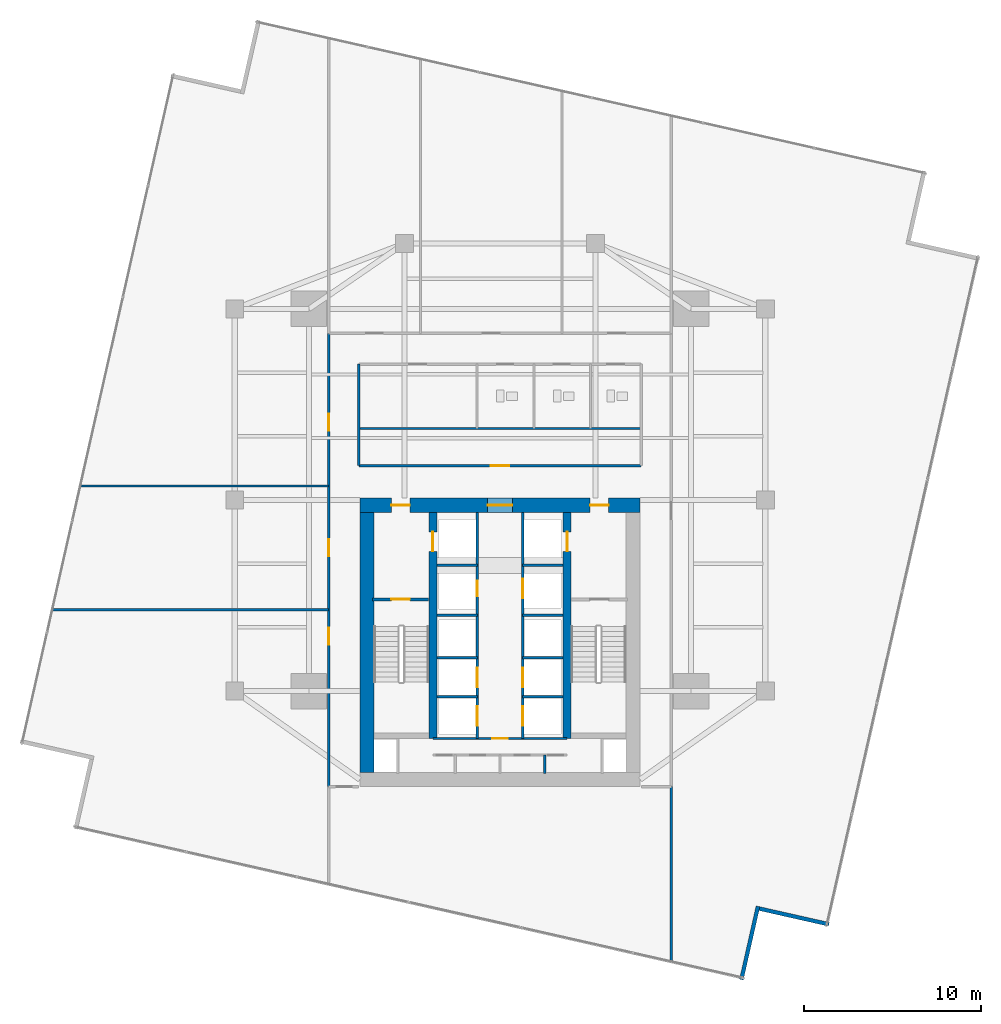
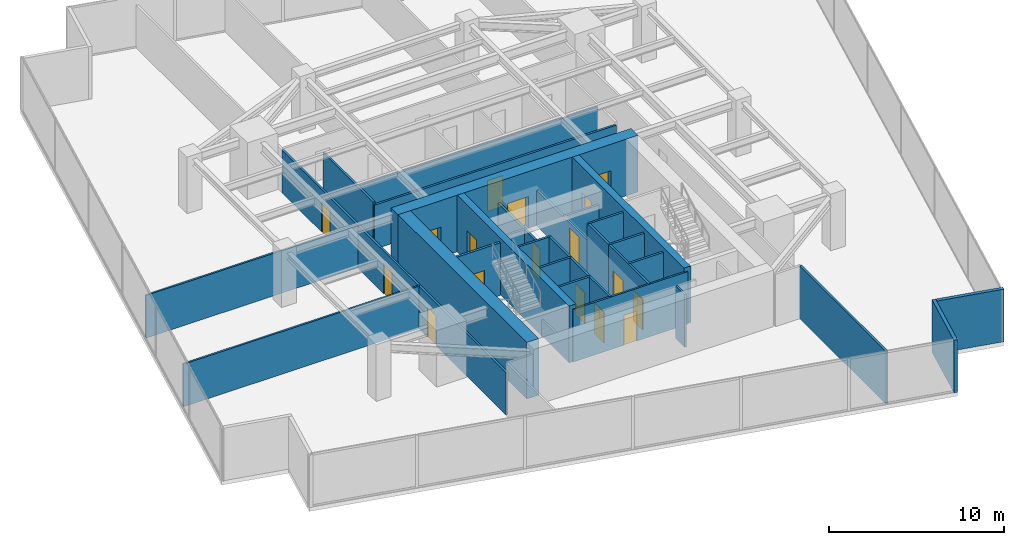
# One storey, part 23 of 26: 30 walls, 17 doors, 17 openings.
"""IFC4 building model written with IfcOpenShell, lengths in metres."""

import ifcopenshell
import ifcopenshell.guid

model = None  # the IFC model being written
_history = None  # IfcOwnerHistory: only IFC2X3 demands one
_inside = {}  # id of a spatial element -> (the spatial element, [elements in it])
_under = {}  # id of a project, library or spatial element -> (it, [spatial elements below it])
_declared = {}  # id of a project -> (the project, [libraries it declares])
_typed = {}  # id of a type object -> (the type object, [elements of that type])
_made_of = {}  # id of a material, layer set ... -> (it, [elements and type objects made of it])


def new_model(schema):
    """Start an empty IFC model of exactly this schema.

    Asked for "IFC4X3", IfcOpenShell would pick the latest addendum, in which some entities
    have other attributes; the version numbers below select the first issue.
    IFC2X3 requires an IfcOwnerHistory on every rooted entity: one is made here for all.
    """
    global model, _history
    if schema == "IFC4X3":
        model = ifcopenshell.file(schema_version=(4, 3, 0, 0))
    else:
        model = ifcopenshell.file(schema=schema)
    _inside.clear()
    _under.clear()
    _declared.clear()
    _typed.clear()
    _made_of.clear()
    _history = None
    if model.schema == "IFC2X3":
        org = make("IfcOrganization", Name="unknown")
        user = make(
            "IfcPersonAndOrganization",
            ThePerson=make("IfcPerson", FamilyName="unknown"),
            TheOrganization=org,
        )
        app = make(
            "IfcApplication",
            ApplicationDeveloper=org,
            Version="unknown",
            ApplicationFullName="unknown",
            ApplicationIdentifier="unknown",
        )
        _history = make(
            "IfcOwnerHistory",
            OwningUser=user,
            OwningApplication=app,
            ChangeAction="ADDED",
            CreationDate=0,
        )
    return model


def make(cls, **values):
    """One entity of the class cls with the attributes given. An attribute that is None is left unset."""
    return model.create_entity(
        cls, **{name: value for name, value in values.items() if value is not None}
    )


def rooted(cls, **values):
    """An entity with a GlobalId (a new one), such as an element, a storey or a relation."""
    return make(cls, GlobalId=ifcopenshell.guid.new(), OwnerHistory=_history, **values)


def si_unit(unit_type, name, prefix=None):
    """IfcSIUnit, for example si_unit("LENGTHUNIT", "METRE", prefix="MILLI")."""
    return make("IfcSIUnit", UnitType=unit_type, Prefix=prefix, Name=name)


def assignment(units):
    """IfcUnitAssignment: the units of a project."""
    return None if units is None else make("IfcUnitAssignment", Units=units)


def point(xyz):
    """IfcCartesianPoint."""
    return None if xyz is None else make("IfcCartesianPoint", Coordinates=xyz)


def direction(xyz):
    """IfcDirection."""
    return None if xyz is None else make("IfcDirection", DirectionRatios=xyz)


def frame(location, z_axis=None, x_axis=None):
    """IfcAxis2Placement3D, a coordinate frame: its origin and axes. An axis left out is left unset."""
    return make(
        "IfcAxis2Placement3D",
        Location=point(location),
        Axis=direction(z_axis),
        RefDirection=direction(x_axis),
    )


def frame_2d(location, x_axis=None):
    """IfcAxis2Placement2D, a coordinate frame in the plane: its origin and x axis."""
    return make(
        "IfcAxis2Placement2D", Location=point(location), RefDirection=direction(x_axis)
    )


def origin():
    """The frame at (0, 0, 0) with its axes left unset."""
    return frame((0.0, 0.0, 0.0))


def place(relative_to, where):
    """IfcLocalPlacement: puts the frame where relative to a parent placement (None: the world)."""
    return make(
        "IfcLocalPlacement", PlacementRelTo=relative_to, RelativePlacement=where
    )


def context(
    kind, dimensions, precision=None, world=None, true_north=None, identifier=None
):
    """IfcGeometricRepresentationContext, for example the 3D "Model" context."""
    return make(
        "IfcGeometricRepresentationContext",
        ContextIdentifier=identifier,
        ContextType=kind,
        CoordinateSpaceDimension=dimensions,
        Precision=precision,
        WorldCoordinateSystem=world,
        TrueNorth=true_north,
    )


def subcontext(parent, identifier, kind, view, scale=None):
    """IfcGeometricRepresentationSubContext, for example "Body" below "Model"."""
    return make(
        "IfcGeometricRepresentationSubContext",
        ContextIdentifier=identifier,
        ContextType=kind,
        ParentContext=parent,
        TargetScale=scale,
        TargetView=view,
    )


def project(units=None, contexts=None):
    """IfcProject with its units and contexts."""
    return rooted(
        "IfcProject",
        Name="project",
        RepresentationContexts=contexts,
        UnitsInContext=assignment(units),
    )


def spatial(cls, under=None, at=None, **own):
    """A site, building, storey or space (cls), placed at a placement, below another one or the project."""
    s = rooted(cls, ObjectPlacement=at, **own)
    if under is not None:
        _under.setdefault(under.id(), (under, []))[1].append(s)
    return s


def profile(cls, at=None, kind="AREA", **sizes):
    """A parametric profile (cls). Its sizes go by their IFC names, for example OverallWidth=200.0."""
    return make(cls, ProfileType=kind, Position=at, **sizes)


def rectangle(**sizes):
    """IfcRectangleProfileDef."""
    return profile("IfcRectangleProfileDef", **sizes)


def extrude(swept, where, along, depth):
    """IfcExtrudedAreaSolid: the profile swept, set in the frame where, extruded along a direction by depth."""
    return make(
        "IfcExtrudedAreaSolid",
        SweptArea=swept,
        Position=where,
        ExtrudedDirection=direction(along),
        Depth=depth,
    )


def shape(context_of_items, identifier, shape_type, items):
    """IfcShapeRepresentation: the items that make up one representation, for example the "Body"."""
    return make(
        "IfcShapeRepresentation",
        ContextOfItems=context_of_items,
        RepresentationIdentifier=identifier,
        RepresentationType=shape_type,
        Items=items,
    )


def material(Name=None, Category=None):
    """IfcMaterial."""
    return make("IfcMaterial", Name=Name, Category=Category)


def layer(
    of_material, thickness, ventilated=None, Name=None, Category=None, Priority=None
):
    """IfcMaterialLayer: one layer of a wall or slab, of a material (None: an air gap)."""
    return make(
        "IfcMaterialLayer",
        Material=of_material,
        LayerThickness=thickness,
        IsVentilated=ventilated,
        Name=Name,
        Category=Category,
        Priority=Priority,
    )


def layer_set(layers, Name=None):
    """IfcMaterialLayerSet."""
    return make("IfcMaterialLayerSet", MaterialLayers=layers, LayerSetName=Name)


def made_of(thing, what):
    """Note that an element or type object is made of a material, layer set ...; save() writes the relation."""
    if what is not None:
        _made_of.setdefault(what.id(), (what, []))[1].append(thing)
    return thing


def type_object(cls, material=None, **own):
    """A type object (cls), such as IfcWallType, which elements share."""
    return made_of(rooted(cls, **own), material)


def element(
    cls,
    number,
    at=None,
    inside=None,
    cuts=None,
    type_object=None,
    material=None,
    context=None,
    identifier="Body",
    shape_type=None,
    held_by="IfcProductDefinitionShape",
    body=None,
    shapes=None,
    **own,
):
    """One element of the class cls, such as IfcWall. Its Tag is "e" and its number.

    at: its placement. inside: the storey or other place that contains it. cuts: it is an
    opening in that element (IfcRelVoidsElement). A single representation is given by context,
    identifier, shape_type and body (its items); several are given by shapes. held_by: the class
    of the entity that holds the representations. save() writes the other relations.
    """
    e = rooted(cls, Tag="e%d" % number, ObjectPlacement=at, **own)
    if body is not None:
        shapes = [shape(context, identifier, shape_type, body)]
    if shapes is not None:
        e.Representation = make(held_by, Representations=shapes)
    if inside is not None:
        _inside.setdefault(inside.id(), (inside, []))[1].append(e)
    if cuts is not None:
        rooted(
            "IfcRelVoidsElement", RelatingBuildingElement=cuts, RelatedOpeningElement=e
        )
    if type_object is not None:
        _typed.setdefault(type_object.id(), (type_object, []))[1].append(e)
    return made_of(e, material)


def fill(opening, filler):
    """IfcRelFillsElement: the door or window that sits in an opening."""
    return rooted(
        "IfcRelFillsElement",
        RelatingOpeningElement=opening,
        RelatedBuildingElement=filler,
    )


def aggregate(whole, parts):
    """IfcRelAggregates: a whole, such as a stair, and the parts it consists of."""
    return rooted("IfcRelAggregates", RelatingObject=whole, RelatedObjects=parts)


def save(model, path):
    """Write the relations noted so far, then the file.

    IfcRelAggregates (storeys below a building ...), IfcRelContainedInSpatialStructure (elements
    in a storey), IfcRelDefinesByType, IfcRelAssociatesMaterial and IfcRelDeclares: one each for
    every whole, place, type object, material and project.
    """
    for whole, parts in _under.values():
        aggregate(whole, parts)
    for where, things in _inside.values():
        rooted(
            "IfcRelContainedInSpatialStructure",
            RelatedElements=things,
            RelatingStructure=where,
        )
    for kind, things in _typed.values():
        rooted("IfcRelDefinesByType", RelatedObjects=things, RelatingType=kind)
    for what, things in _made_of.values():
        rooted("IfcRelAssociatesMaterial", RelatedObjects=things, RelatingMaterial=what)
    for by, libraries in _declared.values():
        rooted("IfcRelDeclares", RelatingContext=by, RelatedDefinitions=libraries)
    model.write(path)


model = new_model("IFC4")

# Units and contexts
model_context = context("Model", 3, precision=1e-05, world=origin(), true_north=direction((0.0, 1.0)))
body_context = subcontext(model_context, "Body", "Model", "MODEL_VIEW")
ifc_project = project(units=[si_unit("LENGTHUNIT", "METRE"), si_unit("AREAUNIT", "SQUARE_METRE"), si_unit("VOLUMEUNIT", "CUBIC_METRE"), si_unit("PLANEANGLEUNIT", "RADIAN"), si_unit("MASSUNIT", "GRAM", prefix="KILO")], contexts=[model_context])

# Site, building, storey
site_placement = place(None, origin())
site = spatial("IfcSite", under=ifc_project, at=site_placement, CompositionType="ELEMENT")
building_placement = place(site_placement, origin())
building = spatial("IfcBuilding", under=site, at=building_placement, Name="Krantzveldt Concourse Tower", CompositionType="ELEMENT")
storey_placement = place(building_placement, frame((0.0, 0.0, 90.050048828125)))
storey = spatial("IfcBuildingStorey", under=building, at=storey_placement, Name="L21", CompositionType="ELEMENT", Elevation=90.050048828125)

# Walls
ifc_material_1 = material(Name="Anodised aluminium 6063-T6", Category="aluminium")
ifc_layer_1 = layer(ifc_material_1, 0.219970703125, Name="Anodised aluminium 6063-T6", Category="aluminium")
ifc_layer_set_1 = layer_set([ifc_layer_1], Name="Anodised aluminium 6063-T6 (WL-EXT-NOTCH220)")
wall_type_1 = type_object("IfcWallType", Name="WL-EXT-NOTCH220", PredefinedType="ELEMENTEDWALL", material=ifc_layer_set_1)
wall_1_placement = place(storey_placement, frame((49.64453125, -0.404541015625, 0.0), z_axis=(0.0, 0.0, 1.0), x_axis=(0.220686293035, 0.975344841616, 0.0)))
element("IfcWall", 1, at=wall_1_placement, inside=storey, type_object=wall_type_1, Name="EW-L21-NCH05", PredefinedType="ELEMENTEDWALL", context=body_context, shape_type="SweptSolid", body=[
    extrude(rectangle(XDim=4.244873046875, YDim=0.219970703125, at=frame_2d((2.12255859375, 0.0))), origin(), (0.0, 0.0, 1.0), 3.669921875),
])
wall_2_placement = place(storey_placement, frame((50.664306640625, 3.60400390625, 0.0), z_axis=(0.0, 0.0, 1.0), x_axis=(0.975349272951, -0.2206667074, 0.0)))
element("IfcWall", 2, at=wall_2_placement, inside=storey, type_object=wall_type_1, Name="EW-L21-NCH06", PredefinedType="ELEMENTEDWALL", context=body_context, shape_type="SweptSolid", body=[
    extrude(rectangle(XDim=4.02490234375, YDim=0.219970703125, at=frame_2d((2.012451171875, 0.0))), origin(), (0.0, 0.0, 1.0), 3.669921875),
])

# Wall, opening, door
ifc_material_2 = material(Name="Fire-rated gypsum plasterboard on steel stud", Category="steel")
ifc_layer_2 = layer(ifc_material_2, 0.1201171875, Name="Fire-rated gypsum plasterboard on steel stud", Category="steel")
ifc_layer_set_2 = layer_set([ifc_layer_2], Name="Fire-rated gypsum plasterboard on steel stud (WL-PART-120)")
wall_type_2 = type_object("IfcWallType", Name="WL-PART-120", PredefinedType="PARTITIONING", material=ifc_layer_set_2)
wall_3_placement = place(storey_placement, frame((32.2099609375, 13.219970703125, 0.0), z_axis=(0.0, 0.0, 1.0), x_axis=(1.0, 0.0, 0.0)))
wall_3 = element("IfcWall", 3, at=wall_3_placement, inside=storey, type_object=wall_type_2, Name="WP-L21-CS2H", PredefinedType="PARTITIONING", context=body_context, shape_type="SweptSolid", body=[
    extrude(rectangle(XDim=7.580078125, YDim=0.1201171875, at=frame_2d((3.7900390625, 0.0))), origin(), (0.0, 0.0, 1.0), 3.669921875),
])
opening_1_placement = place(wall_3_placement, frame((3.364990234375, 0.0, 0.0)))
opening_1 = element("IfcOpeningElement", 4, at=opening_1_placement, cuts=wall_3, Name="Opening D-IN085", PredefinedType="OPENING", context=body_context, shape_type="SweptSolid", body=[
    extrude(rectangle(XDim=0.85009765625, YDim=2.10009765625, at=frame_2d((0.425048828125, 1.050048828125))), frame((0.0, 0.070068359375, 0.0), z_axis=(0.0, -1.0, 0.0), x_axis=(1.0, 0.0, 0.0)), (0.0, 0.0, 1.0), 0.14013671875),
])
ifc_material_3 = material(Name="Hardwood timber", Category="wood")
door_type_1 = type_object("IfcDoorType", Name="DR-INT-850", OperationType="SINGLE_SWING_LEFT", PredefinedType="DOOR", material=ifc_material_3)
door_1_placement = place(opening_1_placement, origin())
door_1 = element("IfcDoor", 5, at=door_1_placement, inside=storey, type_object=door_type_1, Name="DR-L21-LLBS", OperationType="SINGLE_SWING_RIGHT", OverallHeight=2.10009765625, OverallWidth=0.85009765625, PredefinedType="DOOR", context=body_context, shape_type="SweptSolid", body=[
    extrude(rectangle(XDim=0.85009765625, YDim=2.10009765625, at=frame_2d((0.425048828125, 1.050048828125))), frame((0.0, 0.02490234375, 0.0), z_axis=(0.0, -1.0, 0.0), x_axis=(1.0, 0.0, 0.0)), (0.0, 0.0, 1.0), 0.050048828125),
])
fill(opening_1, door_1)

# Walls
wall_4_placement = place(storey_placement, frame((38.530029296875, 11.25, 0.0), z_axis=(0.0, 0.0, 1.0), x_axis=(0.0, 1.0, 0.0)))
element("IfcWall", 6, at=wall_4_placement, inside=storey, type_object=wall_type_2, Name="WP-L21-CSD-V3", PredefinedType="PARTITIONING", context=body_context, shape_type="SweptSolid", body=[
    extrude(rectangle(XDim=1.030029296875, YDim=0.1201171875, at=frame_2d((0.51513671875, 0.0))), origin(), (0.0, 0.0, 1.0), 3.669921875),
])
wall_5_placement = place(storey_placement, frame((28.02001953125, 30.739990234375, 0.0), z_axis=(0.0, 0.0, 1.0), x_axis=(1.0, 0.0, 0.0)))
element("IfcWall", 7, at=wall_5_placement, inside=storey, type_object=wall_type_2, Name="WP-L21-ISLM", PredefinedType="PARTITIONING", context=body_context, shape_type="SweptSolid", body=[
    extrude(rectangle(XDim=15.9599609375, YDim=0.1201171875, at=frame_2d((7.97998046875, 0.0))), origin(), (0.0, 0.0, 1.0), 3.079833984375),
])
wall_6_placement = place(storey_placement, frame((10.69775390625, 20.5, 0.0), z_axis=(0.0, 0.0, 1.0), x_axis=(1.0, 0.0, 0.0)))
element("IfcWall", 8, at=wall_6_placement, inside=storey, type_object=wall_type_2, Name="WP-L21-WD1", PredefinedType="PARTITIONING", context=body_context, shape_type="SweptSolid", body=[
    extrude(rectangle(XDim=15.622314453125, YDim=0.1201171875, at=frame_2d((7.81103515625, 0.0))), origin(), (0.0, 0.0, 1.0), 2.969970703125),
])
wall_7_placement = place(storey_placement, frame((12.28173828125, 27.5, 0.0), z_axis=(0.0, 0.0, 1.0), x_axis=(1.0, 0.0, 0.0)))
element("IfcWall", 9, at=wall_7_placement, inside=storey, type_object=wall_type_2, Name="WP-L21-WD2", PredefinedType="PARTITIONING", context=body_context, shape_type="SweptSolid", body=[
    extrude(rectangle(XDim=14.038330078125, YDim=0.1201171875, at=frame_2d((7.01904296875, 0.0))), origin(), (0.0, 0.0, 1.0), 2.969970703125),
])

# Wall, opening, door
ifc_layer_3 = layer(ifc_material_2, 0.139892578125, Name="Fire-rated gypsum plasterboard on steel stud", Category="steel")
ifc_layer_set_3 = layer_set([ifc_layer_3], Name="Fire-rated gypsum plasterboard on steel stud (WL-PART-140)")
wall_type_3 = type_object("IfcWallType", Name="WL-PART-140", PredefinedType="PARTITIONING", material=ifc_layer_set_3)
wall_8_placement = place(storey_placement, frame((28.02001953125, 28.639892578125, 0.0), z_axis=(0.0, 0.0, 1.0), x_axis=(1.0, 0.0, 0.0)))
wall_8 = element("IfcWall", 10, at=wall_8_placement, inside=storey, type_object=wall_type_3, Name="WP-L21-ISLS", PredefinedType="PARTITIONING", context=body_context, shape_type="SweptSolid", body=[
    extrude(rectangle(XDim=15.9599609375, YDim=0.139892578125, at=frame_2d((7.97998046875, 0.0))), origin(), (0.0, 0.0, 1.0), 3.079833984375),
])
opening_2_placement = place(wall_8_placement, frame((7.455078125, 0.0, 0.0)))
opening_2 = element("IfcOpeningElement", 11, at=opening_2_placement, cuts=wall_8, Name="Opening D-IN105", PredefinedType="OPENING", context=body_context, shape_type="SweptSolid", body=[
    extrude(rectangle(XDim=1.050048828125, YDim=2.14990234375, at=frame_2d((0.52490234375, 1.074951171875))), frame((0.0, 0.080078125, 0.0), z_axis=(0.0, -1.0, 0.0), x_axis=(1.0, 0.0, 0.0)), (0.0, 0.0, 1.0), 0.159912109375),
])
door_type_2 = type_object("IfcDoorType", Name="DR-INT-1050", OperationType="SINGLE_SWING_LEFT", PredefinedType="DOOR", material=ifc_material_3)
door_2_placement = place(opening_2_placement, origin())
door_2 = element("IfcDoor", 12, at=door_2_placement, inside=storey, type_object=door_type_2, Name="DR-L21-MIDB", OperationType="SINGLE_SWING_LEFT", OverallHeight=2.14990234375, OverallWidth=1.050048828125, PredefinedType="DOOR", context=body_context, shape_type="SweptSolid", body=[
    extrude(rectangle(XDim=1.050048828125, YDim=2.14990234375, at=frame_2d((0.52490234375, 1.074951171875))), frame((0.0, 0.02490234375, 0.0), z_axis=(0.0, -1.0, 0.0), x_axis=(1.0, 0.0, 0.0)), (0.0, 0.0, 1.0), 0.050048828125),
])
fill(opening_2, door_2)

# Wall
wall_9_placement = place(storey_placement, frame((28.02001953125, 28.639892578125, 0.0), z_axis=(0.0, 0.0, 1.0), x_axis=(0.0, 1.0, 0.0)))
element("IfcWall", 13, at=wall_9_placement, inside=storey, type_object=wall_type_3, Name="WP-L21-ISLW", PredefinedType="PARTITIONING", context=body_context, shape_type="SweptSolid", body=[
    extrude(rectangle(XDim=5.739990234375, YDim=0.139892578125, at=frame_2d((2.8701171875, 0.0))), origin(), (0.0, 0.0, 1.0), 3.27001953125),
])

# Wall, openings, doors
wall_10_placement = place(storey_placement, frame((26.320068359375, 10.5, 0.0), z_axis=(0.0, 0.0, 1.0), x_axis=(0.0, 1.0, 0.0)))
wall_10 = element("IfcWall", 14, at=wall_10_placement, inside=storey, type_object=wall_type_3, Name="WP-L21-CWEST", PredefinedType="PARTITIONING", context=body_context, shape_type="SweptSolid", body=[
    extrude(rectangle(XDim=25.6201171875, YDim=0.139892578125, at=frame_2d((12.81005859375, 0.0))), origin(), (0.0, 0.0, 1.0), 2.969970703125),
])
opening_3_placement = place(wall_10_placement, frame((8.02490234375, 0.0, 0.0)))
opening_3 = element("IfcOpeningElement", 15, at=opening_3_placement, cuts=wall_10, Name="Opening D-IN095", PredefinedType="OPENING", context=body_context, shape_type="SweptSolid", body=[
    extrude(rectangle(XDim=0.949951171875, YDim=2.10009765625, at=frame_2d((0.47509765625, 1.050048828125))), frame((0.0, 0.080078125, 0.0), z_axis=(0.0, -1.0, 0.0), x_axis=(1.0, 0.0, 0.0)), (0.0, 0.0, 1.0), 0.159912109375),
])
opening_4_placement = place(wall_10_placement, frame((13.02490234375, 0.0, 0.0)))
opening_4 = element("IfcOpeningElement", 16, at=opening_4_placement, cuts=wall_10, Name="Opening D-IN095", PredefinedType="OPENING", context=body_context, shape_type="SweptSolid", body=[
    extrude(rectangle(XDim=0.949951171875, YDim=2.10009765625, at=frame_2d((0.47509765625, 1.050048828125))), frame((0.0, 0.080078125, 0.0), z_axis=(0.0, -1.0, 0.0), x_axis=(1.0, 0.0, 0.0)), (0.0, 0.0, 1.0), 0.159912109375),
])
opening_5_placement = place(wall_10_placement, frame((20.125, 0.0, 0.0)))
opening_5 = element("IfcOpeningElement", 17, at=opening_5_placement, cuts=wall_10, Name="Opening D-IN095", PredefinedType="OPENING", context=body_context, shape_type="SweptSolid", body=[
    extrude(rectangle(XDim=0.949951171875, YDim=2.10009765625, at=frame_2d((0.47509765625, 1.050048828125))), frame((0.0, 0.080078125, 0.0), z_axis=(0.0, -1.0, 0.0), x_axis=(1.0, 0.0, 0.0)), (0.0, 0.0, 1.0), 0.159912109375),
])
door_type_3 = type_object("IfcDoorType", Name="DR-INT-950", OperationType="SINGLE_SWING_LEFT", PredefinedType="DOOR", material=ifc_material_3)
door_3_placement = place(opening_3_placement, origin())
door_3 = element("IfcDoor", 18, at=door_3_placement, inside=storey, type_object=door_type_3, Name="DR-L21-WR1", OperationType="SINGLE_SWING_LEFT", OverallHeight=2.10009765625, OverallWidth=0.949951171875, PredefinedType="DOOR", context=body_context, shape_type="SweptSolid", body=[
    extrude(rectangle(XDim=0.949951171875, YDim=2.10009765625, at=frame_2d((0.47509765625, 1.050048828125))), frame((0.0, 0.02490234375, 0.0), z_axis=(0.0, -1.0, 0.0), x_axis=(1.0, 0.0, 0.0)), (0.0, 0.0, 1.0), 0.050048828125),
])
fill(opening_3, door_3)
door_4_placement = place(opening_4_placement, origin())
door_4 = element("IfcDoor", 19, at=door_4_placement, inside=storey, type_object=door_type_3, Name="DR-L21-WR2", OperationType="SINGLE_SWING_LEFT", OverallHeight=2.10009765625, OverallWidth=0.949951171875, PredefinedType="DOOR", context=body_context, shape_type="SweptSolid", body=[
    extrude(rectangle(XDim=0.949951171875, YDim=2.10009765625, at=frame_2d((0.47509765625, 1.050048828125))), frame((0.0, 0.02490234375, 0.0), z_axis=(0.0, -1.0, 0.0), x_axis=(1.0, 0.0, 0.0)), (0.0, 0.0, 1.0), 0.050048828125),
])
fill(opening_4, door_4)
door_5_placement = place(opening_5_placement, origin())
door_5 = element("IfcDoor", 20, at=door_5_placement, inside=storey, type_object=door_type_3, Name="DR-L21-WR3", OperationType="SINGLE_SWING_LEFT", OverallHeight=2.10009765625, OverallWidth=0.949951171875, PredefinedType="DOOR", context=body_context, shape_type="SweptSolid", body=[
    extrude(rectangle(XDim=0.949951171875, YDim=2.10009765625, at=frame_2d((0.47509765625, 1.050048828125))), frame((0.0, 0.02490234375, 0.0), z_axis=(0.0, -1.0, 0.0), x_axis=(1.0, 0.0, 0.0)), (0.0, 0.0, 1.0), 0.050048828125),
])
fill(opening_5, door_5)

# Wall
wall_11_placement = place(storey_placement, frame((45.679931640625, 0.6103515625, 0.0), z_axis=(0.0, 0.0, 1.0), x_axis=(0.0, 1.0, 0.0)))
element("IfcWall", 21, at=wall_11_placement, inside=storey, type_object=wall_type_3, Name="WP-L21-SER", PredefinedType="PARTITIONING", context=body_context, shape_type="SweptSolid", body=[
    extrude(rectangle(XDim=9.8896484375, YDim=0.139892578125, at=frame_2d((4.94482421875, 0.0))), origin(), (0.0, 0.0, 1.0), 3.669921875),
])

# Wall, opening, door
ifc_layer_4 = layer(ifc_material_2, 0.139892578125, Name="Fire-rated gypsum plasterboard on steel stud", Category="steel")
ifc_layer_set_4 = layer_set([ifc_layer_4], Name="Fire-rated gypsum plasterboard on steel stud (WL-PART-FR140)")
wall_type_4 = type_object("IfcWallType", Name="WL-PART-FR140", PredefinedType="PARTITIONING", material=ifc_layer_set_4)
wall_12_placement = place(storey_placement, frame((34.719970703125, 20.199951171875, 0.0), z_axis=(0.0, 0.0, 1.0), x_axis=(0.0, 1.0, 0.0)))
wall_12 = element("IfcWall", 22, at=wall_12_placement, inside=storey, type_object=wall_type_4, Name="WP-L21-SHNW", PredefinedType="PARTITIONING", context=body_context, shape_type="SweptSolid", body=[
    extrude(rectangle(XDim=5.780029296875, YDim=0.139892578125, at=frame_2d((2.89013671875, 0.0))), origin(), (0.0, 0.0, 1.0), 2.469970703125),
])
opening_6_placement = place(wall_12_placement, frame((1.050048828125, 0.0, 0.0)))
opening_6 = element("IfcOpeningElement", 23, at=opening_6_placement, cuts=wall_12, Name="Opening D-FD090", PredefinedType="OPENING", context=body_context, shape_type="SweptSolid", body=[
    extrude(rectangle(XDim=0.89990234375, YDim=2.10009765625, at=frame_2d((0.449951171875, 1.050048828125))), frame((0.0, 0.080078125, 0.0), z_axis=(0.0, -1.0, 0.0), x_axis=(1.0, 0.0, 0.0)), (0.0, 0.0, 1.0), 0.159912109375),
])
door_type_4 = type_object("IfcDoorType", Name="DR-FD60-900", OperationType="SINGLE_SWING_LEFT", PredefinedType="DOOR", material=ifc_material_3)
door_6_placement = place(opening_6_placement, origin())
door_6 = element("IfcDoor", 24, at=door_6_placement, inside=storey, type_object=door_type_4, Name="Electrical Riser Access Door L21", OperationType="SINGLE_SWING_LEFT", OverallHeight=2.10009765625, OverallWidth=0.89990234375, PredefinedType="DOOR", context=body_context, shape_type="SweptSolid", body=[
    extrude(rectangle(XDim=0.89990234375, YDim=2.10009765625, at=frame_2d((0.449951171875, 1.050048828125))), frame((0.0, 0.02490234375, 0.0), z_axis=(0.0, -1.0, 0.0), x_axis=(1.0, 0.0, 0.0)), (0.0, 0.0, 1.0), 0.050048828125),
])
fill(opening_6, door_6)

wall_13_placement = place(storey_placement, frame((37.280029296875, 20.199951171875, 0.0), z_axis=(0.0, 0.0, 1.0), x_axis=(0.0, 1.0, 0.0)))
wall_13 = element("IfcWall", 25, at=wall_13_placement, inside=storey, type_object=wall_type_4, Name="WP-L21-SHNE", PredefinedType="PARTITIONING", context=body_context, shape_type="SweptSolid", body=[
    extrude(rectangle(XDim=5.780029296875, YDim=0.139892578125, at=frame_2d((2.89013671875, 0.0))), origin(), (0.0, 0.0, 1.0), 2.469970703125),
])
opening_7_placement = place(wall_13_placement, frame((0.949951171875, 0.0, 0.0)))
opening_7 = element("IfcOpeningElement", 26, at=opening_7_placement, cuts=wall_13, Name="Opening LD", PredefinedType="OPENING", context=body_context, shape_type="SweptSolid", body=[
    extrude(rectangle(XDim=1.10009765625, YDim=2.14990234375, at=frame_2d((0.550048828125, 1.074951171875))), frame((0.0, 0.080078125, 0.0), z_axis=(0.0, -1.0, 0.0), x_axis=(1.0, 0.0, 0.0)), (0.0, 0.0, 1.0), 0.159912109375),
])
ifc_material_4 = material(Name="Stainless steel 316L", Category="steel")
door_type_5 = type_object("IfcDoorType", Name="DR-SLIDE-LD1100", OperationType="DOUBLE_DOOR_SLIDING", PredefinedType="DOOR", material=ifc_material_4)
door_7_placement = place(opening_7_placement, origin())
door_7 = element("IfcDoor", 27, at=door_7_placement, inside=storey, type_object=door_type_5, Name="LD-L21-GL1", OperationType="DOUBLE_DOOR_SLIDING", OverallHeight=2.14990234375, OverallWidth=1.10009765625, PredefinedType="DOOR", context=body_context, shape_type="SweptSolid", body=[
    extrude(rectangle(XDim=1.10009765625, YDim=2.14990234375, at=frame_2d((0.550048828125, 1.074951171875))), frame((0.0, 0.02490234375, 0.0), z_axis=(0.0, -1.0, 0.0), x_axis=(1.0, 0.0, 0.0)), (0.0, 0.0, 1.0), 0.050048828125),
])
fill(opening_7, door_7)

# Walls
for number, where, z_axis, x_axis, name in (
    (28, (32.449951171875, 23.0, 0.0), (0.0, 0.0, 1.0), (1.0, 0.0, 0.0), "WP-L21-RISH"),
    (29, (37.280029296875, 23.0, 0.0), (0.0, 0.0, 1.0), (1.0, 0.0, 0.0), "WP-L21-GLH"),
):
    element("IfcWall", number, at=place(storey_placement, frame(where, z_axis=z_axis, x_axis=x_axis)), inside=storey, type_object=wall_type_4, Name=name, PredefinedType="PARTITIONING", context=body_context, shape_type="SweptSolid", body=[
        extrude(rectangle(XDim=2.27001953125, YDim=0.139892578125, at=frame_2d((1.135009765625, 0.0))), origin(), (0.0, 0.0, 1.0), 2.469970703125),
    ])
for number, where, z_axis, x_axis, name in (
    (30, (34.719970703125, 17.780029296875, 0.0), (0.0, 0.0, 1.0), (0.0, 1.0, 0.0), "WP-L21-SHNW2"),
    (31, (37.280029296875, 17.780029296875, 0.0), (0.0, 0.0, 1.0), (0.0, 1.0, 0.0), "WP-L21-SHNE2"),
):
    element("IfcWall", number, at=place(storey_placement, frame(where, z_axis=z_axis, x_axis=x_axis)), inside=storey, type_object=wall_type_4, Name=name, PredefinedType="PARTITIONING", context=body_context, shape_type="SweptSolid", body=[
        extrude(rectangle(XDim=2.419921875, YDim=0.139892578125, at=frame_2d((1.2099609375, 0.0))), origin(), (0.0, 0.0, 1.0), 3.669921875),
    ])
for number, where, z_axis, x_axis, name in (
    (32, (32.449951171875, 17.780029296875, 0.0), (0.0, 0.0, 1.0), (1.0, 0.0, 0.0), "WP-L21-DIVW2"),
    (33, (32.449951171875, 20.179931640625, 0.0), (0.0, 0.0, 1.0), (1.0, 0.0, 0.0), "WP-L21-DIVW3"),
    (34, (37.280029296875, 17.780029296875, 0.0), (0.0, 0.0, 1.0), (1.0, 0.0, 0.0), "WP-L21-DIVE2"),
    (35, (37.280029296875, 20.179931640625, 0.0), (0.0, 0.0, 1.0), (1.0, 0.0, 0.0), "WP-L21-DIVE3"),
):
    element("IfcWall", number, at=place(storey_placement, frame(where, z_axis=z_axis, x_axis=x_axis)), inside=storey, type_object=wall_type_4, Name=name, PredefinedType="PARTITIONING", context=body_context, shape_type="SweptSolid", body=[
        extrude(rectangle(XDim=2.27001953125, YDim=0.139892578125, at=frame_2d((1.135009765625, 0.0))), origin(), (0.0, 0.0, 1.0), 3.669921875),
    ])

# Wall, openings, doors
wall_14_placement = place(storey_placement, frame((34.719970703125, 13.219970703125, 0.0), z_axis=(0.0, 0.0, 1.0), x_axis=(0.0, 1.0, 0.0)))
wall_14 = element("IfcWall", 36, at=wall_14_placement, inside=storey, type_object=wall_type_4, Name="WP-L21-SHSW", PredefinedType="PARTITIONING", context=body_context, shape_type="SweptSolid", body=[
    extrude(rectangle(XDim=4.56005859375, YDim=0.139892578125, at=frame_2d((2.280029296875, 0.0))), origin(), (0.0, 0.0, 1.0), 3.669921875),
])
opening_8_placement = place(wall_14_placement, frame((0.7099609375, 0.0, 0.0)))
opening_8 = element("IfcOpeningElement", 37, at=opening_8_placement, cuts=wall_14, Name="Opening LD", PredefinedType="OPENING", context=body_context, shape_type="SweptSolid", body=[
    extrude(rectangle(XDim=1.10009765625, YDim=2.14990234375, at=frame_2d((0.550048828125, 1.074951171875))), frame((0.0, 0.080078125, 0.0), z_axis=(0.0, -1.0, 0.0), x_axis=(1.0, 0.0, 0.0)), (0.0, 0.0, 1.0), 0.159912109375),
])
opening_9_placement = place(wall_14_placement, frame((2.909912109375, 0.0, 0.0)))
opening_9 = element("IfcOpeningElement", 38, at=opening_9_placement, cuts=wall_14, Name="Opening LD", PredefinedType="OPENING", context=body_context, shape_type="SweptSolid", body=[
    extrude(rectangle(XDim=1.10009765625, YDim=2.14990234375, at=frame_2d((0.550048828125, 1.074951171875))), frame((0.0, 0.080078125, 0.0), z_axis=(0.0, -1.0, 0.0), x_axis=(1.0, 0.0, 0.0)), (0.0, 0.0, 1.0), 0.159912109375),
])
door_8_placement = place(opening_8_placement, origin())
door_8 = element("IfcDoor", 39, at=door_8_placement, inside=storey, type_object=door_type_5, Name="LD-L21-PL1", OperationType="DOUBLE_DOOR_SLIDING", OverallHeight=2.14990234375, OverallWidth=1.10009765625, PredefinedType="DOOR", context=body_context, shape_type="SweptSolid", body=[
    extrude(rectangle(XDim=1.10009765625, YDim=2.14990234375, at=frame_2d((0.550048828125, 1.074951171875))), frame((0.0, 0.02490234375, 0.0), z_axis=(0.0, -1.0, 0.0), x_axis=(1.0, 0.0, 0.0)), (0.0, 0.0, 1.0), 0.050048828125),
])
fill(opening_8, door_8)
door_9_placement = place(opening_9_placement, origin())
door_9 = element("IfcDoor", 40, at=door_9_placement, inside=storey, type_object=door_type_5, Name="LD-L21-PL2", OperationType="DOUBLE_DOOR_SLIDING", OverallHeight=2.14990234375, OverallWidth=1.10009765625, PredefinedType="DOOR", context=body_context, shape_type="SweptSolid", body=[
    extrude(rectangle(XDim=1.10009765625, YDim=2.14990234375, at=frame_2d((0.550048828125, 1.074951171875))), frame((0.0, 0.02490234375, 0.0), z_axis=(0.0, -1.0, 0.0), x_axis=(1.0, 0.0, 0.0)), (0.0, 0.0, 1.0), 0.050048828125),
])
fill(opening_9, door_9)

# Wall
wall_15_placement = place(storey_placement, frame((32.449951171875, 15.580078125, 0.0), z_axis=(0.0, 0.0, 1.0), x_axis=(1.0, 0.0, 0.0)))
element("IfcWall", 41, at=wall_15_placement, inside=storey, type_object=wall_type_4, Name="WP-L21-DIVW1", PredefinedType="PARTITIONING", context=body_context, shape_type="SweptSolid", body=[
    extrude(rectangle(XDim=2.27001953125, YDim=0.139892578125, at=frame_2d((1.135009765625, 0.0))), origin(), (0.0, 0.0, 1.0), 3.669921875),
])

# Wall, openings, doors
wall_16_placement = place(storey_placement, frame((37.280029296875, 13.219970703125, 0.0), z_axis=(0.0, 0.0, 1.0), x_axis=(0.0, 1.0, 0.0)))
wall_16 = element("IfcWall", 42, at=wall_16_placement, inside=storey, type_object=wall_type_4, Name="WP-L21-SHSE", PredefinedType="PARTITIONING", context=body_context, shape_type="SweptSolid", body=[
    extrude(rectangle(XDim=4.56005859375, YDim=0.139892578125, at=frame_2d((2.280029296875, 0.0))), origin(), (0.0, 0.0, 1.0), 3.669921875),
])
opening_10_placement = place(wall_16_placement, frame((0.7099609375, 0.0, 0.0)))
opening_10 = element("IfcOpeningElement", 43, at=opening_10_placement, cuts=wall_16, Name="Opening LD", PredefinedType="OPENING", context=body_context, shape_type="SweptSolid", body=[
    extrude(rectangle(XDim=1.10009765625, YDim=2.14990234375, at=frame_2d((0.550048828125, 1.074951171875))), frame((0.0, 0.080078125, 0.0), z_axis=(0.0, -1.0, 0.0), x_axis=(1.0, 0.0, 0.0)), (0.0, 0.0, 1.0), 0.159912109375),
])
opening_11_placement = place(wall_16_placement, frame((2.909912109375, 0.0, 0.0)))
opening_11 = element("IfcOpeningElement", 44, at=opening_11_placement, cuts=wall_16, Name="Opening LD", PredefinedType="OPENING", context=body_context, shape_type="SweptSolid", body=[
    extrude(rectangle(XDim=1.10009765625, YDim=2.14990234375, at=frame_2d((0.550048828125, 1.074951171875))), frame((0.0, 0.080078125, 0.0), z_axis=(0.0, -1.0, 0.0), x_axis=(1.0, 0.0, 0.0)), (0.0, 0.0, 1.0), 0.159912109375),
])
door_10_placement = place(opening_10_placement, origin())
door_10 = element("IfcDoor", 45, at=door_10_placement, inside=storey, type_object=door_type_5, Name="LD-L21-PM1", OperationType="DOUBLE_DOOR_SLIDING", OverallHeight=2.14990234375, OverallWidth=1.10009765625, PredefinedType="DOOR", context=body_context, shape_type="SweptSolid", body=[
    extrude(rectangle(XDim=1.10009765625, YDim=2.14990234375, at=frame_2d((0.550048828125, 1.074951171875))), frame((0.0, 0.02490234375, 0.0), z_axis=(0.0, -1.0, 0.0), x_axis=(1.0, 0.0, 0.0)), (0.0, 0.0, 1.0), 0.050048828125),
])
fill(opening_10, door_10)
door_11_placement = place(opening_11_placement, origin())
door_11 = element("IfcDoor", 46, at=door_11_placement, inside=storey, type_object=door_type_5, Name="LD-L21-PM2", OperationType="DOUBLE_DOOR_SLIDING", OverallHeight=2.14990234375, OverallWidth=1.10009765625, PredefinedType="DOOR", context=body_context, shape_type="SweptSolid", body=[
    extrude(rectangle(XDim=1.10009765625, YDim=2.14990234375, at=frame_2d((0.550048828125, 1.074951171875))), frame((0.0, 0.02490234375, 0.0), z_axis=(0.0, -1.0, 0.0), x_axis=(1.0, 0.0, 0.0)), (0.0, 0.0, 1.0), 0.050048828125),
])
fill(opening_11, door_11)

# Wall
wall_17_placement = place(storey_placement, frame((37.280029296875, 15.580078125, 0.0), z_axis=(0.0, 0.0, 1.0), x_axis=(1.0, 0.0, 0.0)))
element("IfcWall", 47, at=wall_17_placement, inside=storey, type_object=wall_type_4, Name="WP-L21-DIVE1", PredefinedType="PARTITIONING", context=body_context, shape_type="SweptSolid", body=[
    extrude(rectangle(XDim=2.27001953125, YDim=0.139892578125, at=frame_2d((1.135009765625, 0.0))), origin(), (0.0, 0.0, 1.0), 3.669921875),
])

# Wall, opening, door
ifc_layer_5 = layer(ifc_material_2, 0.159912109375, Name="Fire-rated gypsum plasterboard on steel stud", Category="steel")
ifc_layer_set_5 = layer_set([ifc_layer_5], Name="Fire-rated gypsum plasterboard on steel stud (WL-PART-FR160)")
wall_type_5 = type_object("IfcWallType", Name="WL-PART-FR160", PredefinedType="PARTITIONING", material=ifc_layer_set_5)
wall_18_placement = place(storey_placement, frame((28.800048828125, 21.080078125, 0.0), z_axis=(0.0, 0.0, 1.0), x_axis=(1.0, 0.0, 0.0)))
wall_18 = element("IfcWall", 48, at=wall_18_placement, inside=storey, type_object=wall_type_5, Name="WP-L21-ST1", PredefinedType="PARTITIONING", context=body_context, shape_type="SweptSolid", body=[
    extrude(rectangle(XDim=3.159912109375, YDim=0.159912109375, at=frame_2d((1.580078125, 0.0))), origin(), (0.0, 0.0, 1.0), 3.669921875),
])
opening_12_placement = place(wall_18_placement, frame((1.054931640625, 0.0, 0.0)))
opening_12 = element("IfcOpeningElement", 49, at=opening_12_placement, cuts=wall_18, Name="Opening D-FD105", PredefinedType="OPENING", context=body_context, shape_type="SweptSolid", body=[
    extrude(rectangle(XDim=1.050048828125, YDim=2.10009765625, at=frame_2d((0.52490234375, 1.050048828125))), frame((0.0, 0.08984375, 0.0), z_axis=(0.0, -1.0, 0.0), x_axis=(1.0, 0.0, 0.0)), (0.0, 0.0, 1.0), 0.179931640625),
])
ifc_material_5 = material(Name="Galvanised steel", Category="steel")
door_type_6 = type_object("IfcDoorType", Name="DR-FD120-1050", OperationType="SINGLE_SWING_LEFT", PredefinedType="DOOR", material=ifc_material_5)
door_12_placement = place(opening_12_placement, origin())
door_12 = element("IfcDoor", 50, at=door_12_placement, inside=storey, type_object=door_type_6, Name="DR-L21-ST1", OperationType="SINGLE_SWING_RIGHT", OverallHeight=2.10009765625, OverallWidth=1.050048828125, PredefinedType="DOOR", context=body_context, shape_type="SweptSolid", body=[
    extrude(rectangle(XDim=1.050048828125, YDim=2.10009765625, at=frame_2d((0.52490234375, 1.050048828125))), frame((0.0, 0.02490234375, 0.0), z_axis=(0.0, -1.0, 0.0), x_axis=(1.0, 0.0, 0.0)), (0.0, 0.0, 1.0), 0.050048828125),
])
fill(opening_12, door_12)

ifc_material_6 = material(Name="Concrete C50/60", Category="concrete")
ifc_layer_6 = layer(ifc_material_6, 0.449951171875, Name="Concrete C50/60", Category="concrete")
ifc_layer_set_6 = layer_set([ifc_layer_6], Name="Concrete C50/60 (WL-SHEAR-450)")
wall_type_6 = type_object("IfcWallType", Name="WL-SHEAR-450", PredefinedType="SHEAR", material=ifc_layer_set_6)
wall_19_placement = place(storey_placement, frame((32.205078125, 13.219970703125, 0.0), z_axis=(0.0, 0.0, 1.0), x_axis=(0.0, 1.0, 0.0)))
wall_19 = element("IfcWall", 51, at=wall_19_placement, inside=storey, type_object=wall_type_6, Name="CW-L21-IW", PredefinedType="SHEAR", context=body_context, shape_type="SweptSolid", body=[
    extrude(rectangle(XDim=12.780029296875, YDim=0.449951171875, at=frame_2d((6.39013671875, 0.0))), origin(), (0.0, 0.0, 1.0), 3.949951171875),
])
opening_13_placement = place(wall_19_placement, frame((10.580078125, 0.0, 0.0)))
opening_13 = element("IfcOpeningElement", 52, at=opening_13_placement, cuts=wall_19, Name="Opening LD", PredefinedType="OPENING", context=body_context, shape_type="SweptSolid", body=[
    extrude(rectangle(XDim=1.10009765625, YDim=2.14990234375, at=frame_2d((0.550048828125, 1.074951171875))), frame((0.0, 0.23486328125, 0.0), z_axis=(0.0, -1.0, 0.0), x_axis=(1.0, 0.0, 0.0)), (0.0, 0.0, 1.0), 0.469970703125),
])
door_13_placement = place(opening_13_placement, origin())
door_13 = element("IfcDoor", 53, at=door_13_placement, inside=storey, type_object=door_type_5, Name="LD-L21-FL1", OperationType="DOUBLE_DOOR_SLIDING", OverallHeight=2.14990234375, OverallWidth=1.10009765625, PredefinedType="DOOR", context=body_context, shape_type="SweptSolid", body=[
    extrude(rectangle(XDim=1.10009765625, YDim=2.14990234375, at=frame_2d((0.550048828125, 1.074951171875))), frame((0.0, 0.02490234375, 0.0), z_axis=(0.0, -1.0, 0.0), x_axis=(1.0, 0.0, 0.0)), (0.0, 0.0, 1.0), 0.050048828125),
])
fill(opening_13, door_13)

wall_20_placement = place(storey_placement, frame((39.794921875, 13.219970703125, 0.0), z_axis=(0.0, 0.0, 1.0), x_axis=(0.0, 1.0, 0.0)))
wall_20 = element("IfcWall", 54, at=wall_20_placement, inside=storey, type_object=wall_type_6, Name="CW-L21-IE", PredefinedType="SHEAR", context=body_context, shape_type="SweptSolid", body=[
    extrude(rectangle(XDim=12.780029296875, YDim=0.449951171875, at=frame_2d((6.39013671875, 0.0))), origin(), (0.0, 0.0, 1.0), 3.949951171875),
])
opening_14_placement = place(wall_20_placement, frame((10.580078125, 0.0, 0.0)))
opening_14 = element("IfcOpeningElement", 55, at=opening_14_placement, cuts=wall_20, Name="Opening LD", PredefinedType="OPENING", context=body_context, shape_type="SweptSolid", body=[
    extrude(rectangle(XDim=1.10009765625, YDim=2.14990234375, at=frame_2d((0.550048828125, 1.074951171875))), frame((0.0, 0.23486328125, 0.0), z_axis=(0.0, -1.0, 0.0), x_axis=(1.0, 0.0, 0.0)), (0.0, 0.0, 1.0), 0.469970703125),
])
door_14_placement = place(opening_14_placement, origin())
door_14 = element("IfcDoor", 56, at=door_14_placement, inside=storey, type_object=door_type_5, Name="LD-L21-FL2", OperationType="DOUBLE_DOOR_SLIDING", OverallHeight=2.14990234375, OverallWidth=1.10009765625, PredefinedType="DOOR", context=body_context, shape_type="SweptSolid", body=[
    extrude(rectangle(XDim=1.10009765625, YDim=2.14990234375, at=frame_2d((0.550048828125, 1.074951171875))), frame((0.0, 0.02490234375, 0.0), z_axis=(0.0, -1.0, 0.0), x_axis=(1.0, 0.0, 0.0)), (0.0, 0.0, 1.0), 0.050048828125),
])
fill(opening_14, door_14)

# Wall, openings, doors
ifc_material_7 = material(Name="Concrete C60/75", Category="concrete")
ifc_layer_7 = layer(ifc_material_7, 0.800048828125, Name="Concrete C60/75", Category="concrete")
ifc_layer_set_7 = layer_set([ifc_layer_7], Name="Concrete C60/75 (WL-SHEAR-800)")
wall_type_7 = type_object("IfcWallType", Name="WL-SHEAR-800", PredefinedType="SHEAR", material=ifc_layer_set_7)
wall_21_placement = place(storey_placement, frame((28.080078125, 26.39990234375, 0.0), z_axis=(0.0, 0.0, 1.0), x_axis=(1.0, 0.0, 0.0)))
wall_21 = element("IfcWall", 57, at=wall_21_placement, inside=storey, type_object=wall_type_7, Name="CW-L21-N", PredefinedType="SHEAR", context=body_context, shape_type="SweptSolid", body=[
    extrude(rectangle(XDim=15.83984375, YDim=0.800048828125, at=frame_2d((7.919921875, 0.0))), origin(), (0.0, 0.0, 1.0), 3.949951171875),
])
opening_15_placement = place(wall_21_placement, frame((7.219970703125, 0.0, 0.0)))
opening_15 = element("IfcOpeningElement", 58, at=opening_15_placement, cuts=wall_21, Name="Opening D-DB140", PredefinedType="OPENING", context=body_context, shape_type="SweptSolid", body=[
    extrude(rectangle(XDim=1.39990234375, YDim=2.199951171875, at=frame_2d((0.699951171875, 1.10009765625))), frame((0.0, 0.41015625, 0.0), z_axis=(0.0, -1.0, 0.0), x_axis=(1.0, 0.0, 0.0)), (0.0, 0.0, 1.0), 0.820068359375),
])
opening_16_placement = place(wall_21_placement, frame((1.77490234375, 0.0, 0.0)))
opening_16 = element("IfcOpeningElement", 59, at=opening_16_placement, cuts=wall_21, Name="Opening D-FD105", PredefinedType="OPENING", context=body_context, shape_type="SweptSolid", body=[
    extrude(rectangle(XDim=1.050048828125, YDim=2.10009765625, at=frame_2d((0.52490234375, 1.050048828125))), frame((0.0, 0.41015625, 0.0), z_axis=(0.0, -1.0, 0.0), x_axis=(1.0, 0.0, 0.0)), (0.0, 0.0, 1.0), 0.820068359375),
])
opening_17_placement = place(wall_21_placement, frame((13.014892578125, 0.0, 0.0)))
opening_17 = element("IfcOpeningElement", 60, at=opening_17_placement, cuts=wall_21, Name="Opening D-FD105", PredefinedType="OPENING", context=body_context, shape_type="SweptSolid", body=[
    extrude(rectangle(XDim=1.050048828125, YDim=2.10009765625, at=frame_2d((0.52490234375, 1.050048828125))), frame((0.0, 0.41015625, 0.0), z_axis=(0.0, -1.0, 0.0), x_axis=(1.0, 0.0, 0.0)), (0.0, 0.0, 1.0), 0.820068359375),
])
door_type_7 = type_object("IfcDoorType", Name="DR-DBL-1400", OperationType="DOUBLE_DOOR_SINGLE_SWING", PredefinedType="DOOR", material=ifc_material_1)
door_15_placement = place(opening_15_placement, origin())
door_15 = element("IfcDoor", 61, at=door_15_placement, inside=storey, type_object=door_type_7, Name="DR-L21-LLB", OperationType="DOUBLE_DOOR_SINGLE_SWING", OverallHeight=2.199951171875, OverallWidth=1.39990234375, PredefinedType="DOOR", context=body_context, shape_type="SweptSolid", body=[
    extrude(rectangle(XDim=1.39990234375, YDim=2.199951171875, at=frame_2d((0.699951171875, 1.10009765625))), frame((0.0, 0.02490234375, 0.0), z_axis=(0.0, -1.0, 0.0), x_axis=(1.0, 0.0, 0.0)), (0.0, 0.0, 1.0), 0.050048828125),
])
fill(opening_15, door_15)
door_16_placement = place(opening_16_placement, origin())
door_16 = element("IfcDoor", 62, at=door_16_placement, inside=storey, type_object=door_type_6, Name="DR-L21-FFL1", OperationType="SINGLE_SWING_LEFT", OverallHeight=2.10009765625, OverallWidth=1.050048828125, PredefinedType="DOOR", context=body_context, shape_type="SweptSolid", body=[
    extrude(rectangle(XDim=1.050048828125, YDim=2.10009765625, at=frame_2d((0.52490234375, 1.050048828125))), frame((0.0, 0.02490234375, 0.0), z_axis=(0.0, -1.0, 0.0), x_axis=(1.0, 0.0, 0.0)), (0.0, 0.0, 1.0), 0.050048828125),
])
fill(opening_16, door_16)
door_17_placement = place(opening_17_placement, origin())
door_17 = element("IfcDoor", 63, at=door_17_placement, inside=storey, type_object=door_type_6, Name="DR-L21-FFL2", OperationType="SINGLE_SWING_RIGHT", OverallHeight=2.10009765625, OverallWidth=1.050048828125, PredefinedType="DOOR", context=body_context, shape_type="SweptSolid", body=[
    extrude(rectangle(XDim=1.050048828125, YDim=2.10009765625, at=frame_2d((0.52490234375, 1.050048828125))), frame((0.0, 0.02490234375, 0.0), z_axis=(0.0, -1.0, 0.0), x_axis=(1.0, 0.0, 0.0)), (0.0, 0.0, 1.0), 0.050048828125),
])
fill(opening_17, door_17)

# Wall
wall_22_placement = place(storey_placement, frame((28.47998046875, 11.300048828125, 0.0), z_axis=(0.0, 0.0, 1.0), x_axis=(0.0, 1.0, 0.0)))
element("IfcWall", 64, at=wall_22_placement, inside=storey, type_object=wall_type_7, Name="CW-L21-W", PredefinedType="SHEAR", context=body_context, shape_type="SweptSolid", body=[
    extrude(rectangle(XDim=14.699951171875, YDim=0.800048828125, at=frame_2d((7.35009765625, 0.0))), origin(), (0.0, 0.0, 1.0), 3.949951171875),
])

save(model, "model.ifc")
